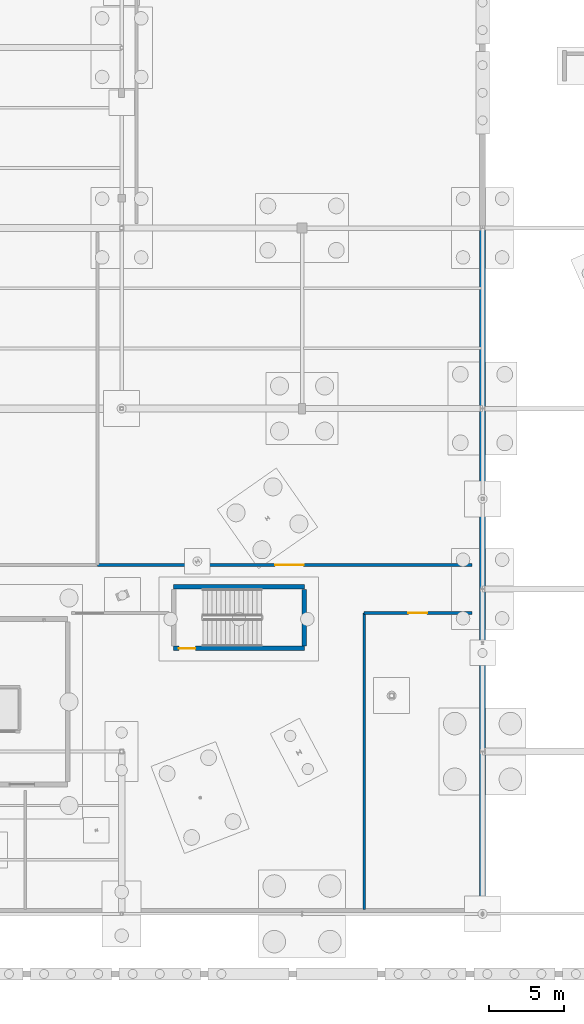
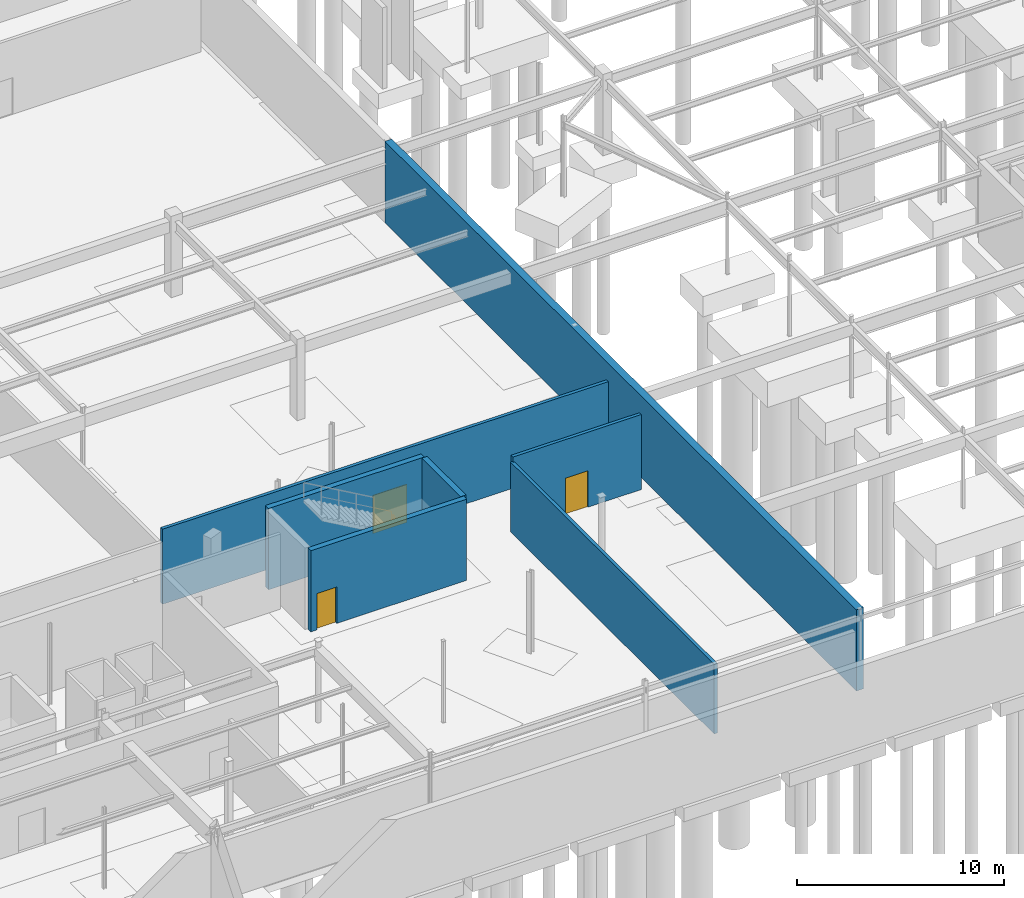
# One storey, part 123 of 136: 7 walls, 3 doors, 3 openings.
"""IFC4 building model written with IfcOpenShell, lengths in metres."""

import ifcopenshell
import ifcopenshell.guid

model = None  # the IFC model being written
_history = None  # IfcOwnerHistory: only IFC2X3 demands one
_inside = {}  # id of a spatial element -> (the spatial element, [elements in it])
_under = {}  # id of a project, library or spatial element -> (it, [spatial elements below it])
_declared = {}  # id of a project -> (the project, [libraries it declares])
_typed = {}  # id of a type object -> (the type object, [elements of that type])
_made_of = {}  # id of a material, layer set ... -> (it, [elements and type objects made of it])


def new_model(schema):
    """Start an empty IFC model of exactly this schema.

    Asked for "IFC4X3", IfcOpenShell would pick the latest addendum, in which some entities
    have other attributes; the version numbers below select the first issue.
    IFC2X3 requires an IfcOwnerHistory on every rooted entity: one is made here for all.
    """
    global model, _history
    if schema == "IFC4X3":
        model = ifcopenshell.file(schema_version=(4, 3, 0, 0))
    else:
        model = ifcopenshell.file(schema=schema)
    _inside.clear()
    _under.clear()
    _declared.clear()
    _typed.clear()
    _made_of.clear()
    _history = None
    if model.schema == "IFC2X3":
        org = make("IfcOrganization", Name="unknown")
        user = make(
            "IfcPersonAndOrganization",
            ThePerson=make("IfcPerson", FamilyName="unknown"),
            TheOrganization=org,
        )
        app = make(
            "IfcApplication",
            ApplicationDeveloper=org,
            Version="unknown",
            ApplicationFullName="unknown",
            ApplicationIdentifier="unknown",
        )
        _history = make(
            "IfcOwnerHistory",
            OwningUser=user,
            OwningApplication=app,
            ChangeAction="ADDED",
            CreationDate=0,
        )
    return model


def make(cls, **values):
    """One entity of the class cls with the attributes given. An attribute that is None is left unset."""
    return model.create_entity(
        cls, **{name: value for name, value in values.items() if value is not None}
    )


def rooted(cls, **values):
    """An entity with a GlobalId (a new one), such as an element, a storey or a relation."""
    return make(cls, GlobalId=ifcopenshell.guid.new(), OwnerHistory=_history, **values)


def si_unit(unit_type, name, prefix=None):
    """IfcSIUnit, for example si_unit("LENGTHUNIT", "METRE", prefix="MILLI")."""
    return make("IfcSIUnit", UnitType=unit_type, Prefix=prefix, Name=name)


def assignment(units):
    """IfcUnitAssignment: the units of a project."""
    return None if units is None else make("IfcUnitAssignment", Units=units)


def point(xyz):
    """IfcCartesianPoint."""
    return None if xyz is None else make("IfcCartesianPoint", Coordinates=xyz)


def direction(xyz):
    """IfcDirection."""
    return None if xyz is None else make("IfcDirection", DirectionRatios=xyz)


def frame(location, z_axis=None, x_axis=None):
    """IfcAxis2Placement3D, a coordinate frame: its origin and axes. An axis left out is left unset."""
    return make(
        "IfcAxis2Placement3D",
        Location=point(location),
        Axis=direction(z_axis),
        RefDirection=direction(x_axis),
    )


def frame_2d(location, x_axis=None):
    """IfcAxis2Placement2D, a coordinate frame in the plane: its origin and x axis."""
    return make(
        "IfcAxis2Placement2D", Location=point(location), RefDirection=direction(x_axis)
    )


def origin():
    """The frame at (0, 0, 0) with its axes left unset."""
    return frame((0.0, 0.0, 0.0))


def place(relative_to, where):
    """IfcLocalPlacement: puts the frame where relative to a parent placement (None: the world)."""
    return make(
        "IfcLocalPlacement", PlacementRelTo=relative_to, RelativePlacement=where
    )


def context(
    kind, dimensions, precision=None, world=None, true_north=None, identifier=None
):
    """IfcGeometricRepresentationContext, for example the 3D "Model" context."""
    return make(
        "IfcGeometricRepresentationContext",
        ContextIdentifier=identifier,
        ContextType=kind,
        CoordinateSpaceDimension=dimensions,
        Precision=precision,
        WorldCoordinateSystem=world,
        TrueNorth=true_north,
    )


def subcontext(parent, identifier, kind, view, scale=None):
    """IfcGeometricRepresentationSubContext, for example "Body" below "Model"."""
    return make(
        "IfcGeometricRepresentationSubContext",
        ContextIdentifier=identifier,
        ContextType=kind,
        ParentContext=parent,
        TargetScale=scale,
        TargetView=view,
    )


def project(units=None, contexts=None):
    """IfcProject with its units and contexts."""
    return rooted(
        "IfcProject",
        Name="project",
        RepresentationContexts=contexts,
        UnitsInContext=assignment(units),
    )


def spatial(cls, under=None, at=None, **own):
    """A site, building, storey or space (cls), placed at a placement, below another one or the project."""
    s = rooted(cls, ObjectPlacement=at, **own)
    if under is not None:
        _under.setdefault(under.id(), (under, []))[1].append(s)
    return s


def profile(cls, at=None, kind="AREA", **sizes):
    """A parametric profile (cls). Its sizes go by their IFC names, for example OverallWidth=200.0."""
    return make(cls, ProfileType=kind, Position=at, **sizes)


def rectangle(**sizes):
    """IfcRectangleProfileDef."""
    return profile("IfcRectangleProfileDef", **sizes)


def extrude(swept, where, along, depth):
    """IfcExtrudedAreaSolid: the profile swept, set in the frame where, extruded along a direction by depth."""
    return make(
        "IfcExtrudedAreaSolid",
        SweptArea=swept,
        Position=where,
        ExtrudedDirection=direction(along),
        Depth=depth,
    )


def shape(context_of_items, identifier, shape_type, items):
    """IfcShapeRepresentation: the items that make up one representation, for example the "Body"."""
    return make(
        "IfcShapeRepresentation",
        ContextOfItems=context_of_items,
        RepresentationIdentifier=identifier,
        RepresentationType=shape_type,
        Items=items,
    )


def material(Name=None, Category=None):
    """IfcMaterial."""
    return make("IfcMaterial", Name=Name, Category=Category)


def layer(
    of_material, thickness, ventilated=None, Name=None, Category=None, Priority=None
):
    """IfcMaterialLayer: one layer of a wall or slab, of a material (None: an air gap)."""
    return make(
        "IfcMaterialLayer",
        Material=of_material,
        LayerThickness=thickness,
        IsVentilated=ventilated,
        Name=Name,
        Category=Category,
        Priority=Priority,
    )


def layer_set(layers, Name=None):
    """IfcMaterialLayerSet."""
    return make("IfcMaterialLayerSet", MaterialLayers=layers, LayerSetName=Name)


def made_of(thing, what):
    """Note that an element or type object is made of a material, layer set ...; save() writes the relation."""
    if what is not None:
        _made_of.setdefault(what.id(), (what, []))[1].append(thing)
    return thing


def type_object(cls, material=None, **own):
    """A type object (cls), such as IfcWallType, which elements share."""
    return made_of(rooted(cls, **own), material)


def element(
    cls,
    number,
    at=None,
    inside=None,
    cuts=None,
    type_object=None,
    material=None,
    context=None,
    identifier="Body",
    shape_type=None,
    held_by="IfcProductDefinitionShape",
    body=None,
    shapes=None,
    **own,
):
    """One element of the class cls, such as IfcWall. Its Tag is "e" and its number.

    at: its placement. inside: the storey or other place that contains it. cuts: it is an
    opening in that element (IfcRelVoidsElement). A single representation is given by context,
    identifier, shape_type and body (its items); several are given by shapes. held_by: the class
    of the entity that holds the representations. save() writes the other relations.
    """
    e = rooted(cls, Tag="e%d" % number, ObjectPlacement=at, **own)
    if body is not None:
        shapes = [shape(context, identifier, shape_type, body)]
    if shapes is not None:
        e.Representation = make(held_by, Representations=shapes)
    if inside is not None:
        _inside.setdefault(inside.id(), (inside, []))[1].append(e)
    if cuts is not None:
        rooted(
            "IfcRelVoidsElement", RelatingBuildingElement=cuts, RelatedOpeningElement=e
        )
    if type_object is not None:
        _typed.setdefault(type_object.id(), (type_object, []))[1].append(e)
    return made_of(e, material)


def fill(opening, filler):
    """IfcRelFillsElement: the door or window that sits in an opening."""
    return rooted(
        "IfcRelFillsElement",
        RelatingOpeningElement=opening,
        RelatedBuildingElement=filler,
    )


def aggregate(whole, parts):
    """IfcRelAggregates: a whole, such as a stair, and the parts it consists of."""
    return rooted("IfcRelAggregates", RelatingObject=whole, RelatedObjects=parts)


def save(model, path):
    """Write the relations noted so far, then the file.

    IfcRelAggregates (storeys below a building ...), IfcRelContainedInSpatialStructure (elements
    in a storey), IfcRelDefinesByType, IfcRelAssociatesMaterial and IfcRelDeclares: one each for
    every whole, place, type object, material and project.
    """
    for whole, parts in _under.values():
        aggregate(whole, parts)
    for where, things in _inside.values():
        rooted(
            "IfcRelContainedInSpatialStructure",
            RelatedElements=things,
            RelatingStructure=where,
        )
    for kind, things in _typed.values():
        rooted("IfcRelDefinesByType", RelatedObjects=things, RelatingType=kind)
    for what, things in _made_of.values():
        rooted("IfcRelAssociatesMaterial", RelatedObjects=things, RelatingMaterial=what)
    for by, libraries in _declared.values():
        rooted("IfcRelDeclares", RelatingContext=by, RelatedDefinitions=libraries)
    model.write(path)


model = new_model("IFC4")

# Units and contexts
model_context = context("Model", 3, precision=1e-05, world=origin(), true_north=direction((0.0, 1.0)))
body_context = subcontext(model_context, "Body", "Model", "MODEL_VIEW")
ifc_project = project(units=[si_unit("LENGTHUNIT", "METRE"), si_unit("AREAUNIT", "SQUARE_METRE"), si_unit("VOLUMEUNIT", "CUBIC_METRE"), si_unit("PLANEANGLEUNIT", "RADIAN"), si_unit("MASSUNIT", "GRAM", prefix="KILO")], contexts=[model_context])

# Site, building, storey
site_placement = place(None, origin())
site = spatial("IfcSite", under=ifc_project, at=site_placement, CompositionType="ELEMENT")
building_placement = place(site_placement, origin())
building = spatial("IfcBuilding", under=site, at=building_placement, Name="Tarnwether General Hospital", CompositionType="ELEMENT")
storey_placement = place(building_placement, frame((0.0, 0.0, -4.800048828125)))
storey = spatial("IfcBuildingStorey", under=building, at=storey_placement, Name="LG", CompositionType="ELEMENT", Elevation=-4.800048828125)

# Wall
ifc_material_1 = material(Name="Gypsum plasterboard")
ifc_layer_1 = layer(ifc_material_1, 0.179931640625)
ifc_layer_set_1 = layer_set([ifc_layer_1], Name="Gypsum plasterboard")
wall_type_1 = type_object("IfcWallType", Name="WL-PT180", PredefinedType="PARTITIONING", material=ifc_layer_set_1)
wall_1_placement = place(storey_placement, frame((124.126953125, 0.300048828125, 0.0), z_axis=(0.0, 0.0, 1.0), x_axis=(0.0, 1.0, 0.0)))
element("IfcWall", 1, at=wall_1_placement, inside=storey, type_object=wall_type_1, Name="Interior Partition PT-LG-0036", PredefinedType="PARTITIONING", context=body_context, shape_type="SweptSolid", body=[
    extrude(rectangle(XDim=19.699951171875, YDim=0.179931640625, at=frame_2d((9.85009765625, 0.0))), origin(), (0.0, 0.0, 1.0), 4.114990234375),
])

# Wall, opening, door
wall_2_placement = place(storey_placement, frame((124.126953125, 20.0, 0.0), z_axis=(0.0, 0.0, 1.0), x_axis=(1.0, 0.0, 0.0)))
wall_2 = element("IfcWall", 2, at=wall_2_placement, inside=storey, type_object=wall_type_1, Name="Interior Partition PT-LG-0037", PredefinedType="PARTITIONING", context=body_context, shape_type="SweptSolid", body=[
    extrude(rectangle(XDim=7.173095703125, YDim=0.179931640625, at=frame_2d((3.58642578125, 0.0))), origin(), (0.0, 0.0, 1.0), 4.429931640625),
])
opening_1_placement = place(wall_2_placement, frame((2.93603515625, 0.0, 0.0)))
opening_1 = element("IfcOpeningElement", 3, at=opening_1_placement, cuts=wall_2, Name="Opening FD-05", PredefinedType="OPENING", context=body_context, shape_type="SweptSolid", body=[
    extrude(rectangle(XDim=1.25, YDim=2.14990234375, at=frame_2d((0.625, 1.074951171875))), frame((0.0, 0.10009765625, 0.0), z_axis=(0.0, -1.0, 0.0), x_axis=(1.0, 0.0, 0.0)), (0.0, 0.0, 1.0), 0.199951171875),
])
ifc_material_2 = material(Name="Anodised aluminium", Category="aluminium")
door_type_1 = type_object("IfcDoorType", Name="DR-FD05", OperationType="NOTDEFINED", PredefinedType="DOOR", material=ifc_material_2)
door_1_placement = place(opening_1_placement, origin())
door_1 = element("IfcDoor", 4, at=door_1_placement, inside=storey, type_object=door_type_1, Name="Interior Door DR-LG-0021", OperationType="SINGLE_SWING_LEFT", OverallHeight=2.14990234375, OverallWidth=1.25, PredefinedType="DOOR", context=body_context, shape_type="SweptSolid", body=[
    extrude(rectangle(XDim=1.25, YDim=2.14990234375, at=frame_2d((0.625, 1.074951171875))), frame((0.0, 0.02490234375, 0.0), z_axis=(0.0, -1.0, 0.0), x_axis=(1.0, 0.0, 0.0)), (0.0, 0.0, 1.0), 0.050048828125),
])
fill(opening_1, door_1)

wall_3_placement = place(storey_placement, frame((106.39990234375, 23.199951171875, 0.0), z_axis=(0.0, 0.0, 1.0), x_axis=(1.0, 0.0, 0.0)))
wall_3 = element("IfcWall", 5, at=wall_3_placement, inside=storey, type_object=wall_type_1, Name="Interior Partition PT-LG-0042", PredefinedType="PARTITIONING", context=body_context, shape_type="SweptSolid", body=[
    extrude(rectangle(XDim=24.900146484375, YDim=0.179931640625, at=frame_2d((12.4501953125, 0.0))), origin(), (0.0, 0.0, 1.0), 4.429931640625),
])
opening_2_placement = place(wall_3_placement, frame((11.800048828125, 0.0, 0.0)))
opening_2 = element("IfcOpeningElement", 6, at=opening_2_placement, cuts=wall_3, Name="Opening FD-08", PredefinedType="OPENING", context=body_context, shape_type="SweptSolid", body=[
    extrude(rectangle(XDim=1.89990234375, YDim=2.25, at=frame_2d((0.949951171875, 1.125))), frame((0.0, 0.10009765625, 0.0), z_axis=(0.0, -1.0, 0.0), x_axis=(1.0, 0.0, 0.0)), (0.0, 0.0, 1.0), 0.199951171875),
])
ifc_material_3 = material(Name="Anodised aluminium", Category="aluminium")
door_type_2 = type_object("IfcDoorType", Name="DR-FD08", OperationType="NOTDEFINED", PredefinedType="DOOR", material=ifc_material_3)
door_2_placement = place(opening_2_placement, origin())
door_2 = element("IfcDoor", 7, at=door_2_placement, inside=storey, type_object=door_type_2, Name="Interior Door DR-LG-0024", OperationType="DOUBLE_DOOR_SINGLE_SWING", OverallHeight=2.25, OverallWidth=1.89990234375, PredefinedType="DOOR", context=body_context, shape_type="SweptSolid", body=[
    extrude(rectangle(XDim=1.89990234375, YDim=2.25, at=frame_2d((0.949951171875, 1.125))), frame((0.0, 0.02490234375, 0.0), z_axis=(0.0, -1.0, 0.0), x_axis=(1.0, 0.0, 0.0)), (0.0, 0.0, 1.0), 0.050048828125),
])
fill(opening_2, door_2)

# Wall
ifc_material_4 = material(Name="Concrete 40 MPa", Category="concrete")
ifc_layer_2 = layer(ifc_material_4, 0.39990234375)
ifc_layer_set_2 = layer_set([ifc_layer_2], Name="Concrete 40 MPa")
wall_type_2 = type_object("IfcWallType", Name="WL-RW400", PredefinedType="USERDEFINED", material=ifc_layer_set_2)
wall_4_placement = place(storey_placement, frame((132.0, 0.0, 0.0), z_axis=(0.0, 0.0, 1.0), x_axis=(0.0, 1.0, 0.0)))
element("IfcWall", 8, at=wall_4_placement, inside=storey, type_object=wall_type_2, Name="Scarp Retaining Wall RW-EAST-S", ObjectType="RETAINING", PredefinedType="USERDEFINED", context=body_context, shape_type="SweptSolid", body=[
    extrude(rectangle(XDim=45.60009765625, YDim=0.39990234375, at=frame_2d((22.800048828125, 0.0))), origin(), (0.0, 0.0, 1.0), 4.800048828125),
])

# Wall, opening, door
ifc_material_5 = material(Name="Concrete 50 MPa", Category="concrete")
ifc_layer_3 = layer(ifc_material_5, 0.300048828125)
ifc_layer_set_3 = layer_set([ifc_layer_3], Name="Concrete 50 MPa")
wall_type_3 = type_object("IfcWallType", Name="WL-SW300", PredefinedType="SHEAR", material=ifc_layer_set_3)
wall_5_placement = place(storey_placement, frame((111.449951171875, 17.64990234375, 0.0), z_axis=(0.0, 0.0, 1.0), x_axis=(1.0, 0.0, 0.0)))
wall_5 = element("IfcWall", 9, at=wall_5_placement, inside=storey, type_object=wall_type_3, Name="Stairwell Shear Wall STW-ST-10-LG-B", PredefinedType="SHEAR", context=body_context, shape_type="SweptSolid", body=[
    extrude(rectangle(XDim=8.699951171875, YDim=0.300048828125, at=frame_2d((4.35009765625, 0.0))), origin(), (0.0, 0.0, 1.0), 4.800048828125),
])
opening_3_placement = place(wall_5_placement, frame((0.35009765625, 0.0, 0.0)))
opening_3 = element("IfcOpeningElement", 10, at=opening_3_placement, cuts=wall_5, Name="Opening FD-06", PredefinedType="OPENING", context=body_context, shape_type="SweptSolid", body=[
    extrude(rectangle(XDim=1.10009765625, YDim=2.14990234375, at=frame_2d((0.550048828125, 1.074951171875))), frame((0.0, 0.16015625, 0.0), z_axis=(0.0, -1.0, 0.0), x_axis=(1.0, 0.0, 0.0)), (0.0, 0.0, 1.0), 0.320068359375),
])
ifc_material_6 = material(Name="Anodised aluminium", Category="aluminium")
door_type_3 = type_object("IfcDoorType", Name="DR-FD06", OperationType="NOTDEFINED", PredefinedType="DOOR", material=ifc_material_6)
door_3_placement = place(opening_3_placement, origin())
door_3 = element("IfcDoor", 11, at=door_3_placement, inside=storey, type_object=door_type_3, Name="Stairwell ST-10 Safe-Path Fire Door LG", OperationType="SINGLE_SWING_RIGHT", OverallHeight=2.14990234375, OverallWidth=1.10009765625, PredefinedType="DOOR", context=body_context, shape_type="SweptSolid", body=[
    extrude(rectangle(XDim=1.10009765625, YDim=2.14990234375, at=frame_2d((0.550048828125, 1.074951171875))), frame((0.0, 0.02490234375, 0.0), z_axis=(0.0, -1.0, 0.0), x_axis=(1.0, 0.0, 0.0)), (0.0, 0.0, 1.0), 0.050048828125),
])
fill(opening_3, door_3)

# Walls
wall_6_placement = place(storey_placement, frame((120.14990234375, 21.75, 0.0), z_axis=(0.0, 0.0, 1.0), x_axis=(-1.0, 0.0, 0.0)))
element("IfcWall", 12, at=wall_6_placement, inside=storey, type_object=wall_type_3, Name="Stairwell Shear Wall STW-ST-10-LG-N", PredefinedType="SHEAR", context=body_context, shape_type="SweptSolid", body=[
    extrude(rectangle(XDim=8.699951171875, YDim=0.300048828125, at=frame_2d((4.35009765625, 0.0))), origin(), (0.0, 0.0, 1.0), 4.800048828125),
])
wall_7_placement = place(storey_placement, frame((120.14990234375, 17.820068359375, 0.0), z_axis=(0.0, 0.0, 1.0), x_axis=(0.0, 1.0, 0.0)))
element("IfcWall", 13, at=wall_7_placement, inside=storey, type_object=wall_type_3, Name="Stairwell Shear Wall STW-ST-10-LG-F", PredefinedType="SHEAR", context=body_context, shape_type="SweptSolid", body=[
    extrude(rectangle(XDim=3.760009765625, YDim=0.300048828125, at=frame_2d((1.8798828125, 0.0))), origin(), (0.0, 0.0, 1.0), 4.800048828125),
])

save(model, "model.ifc")
